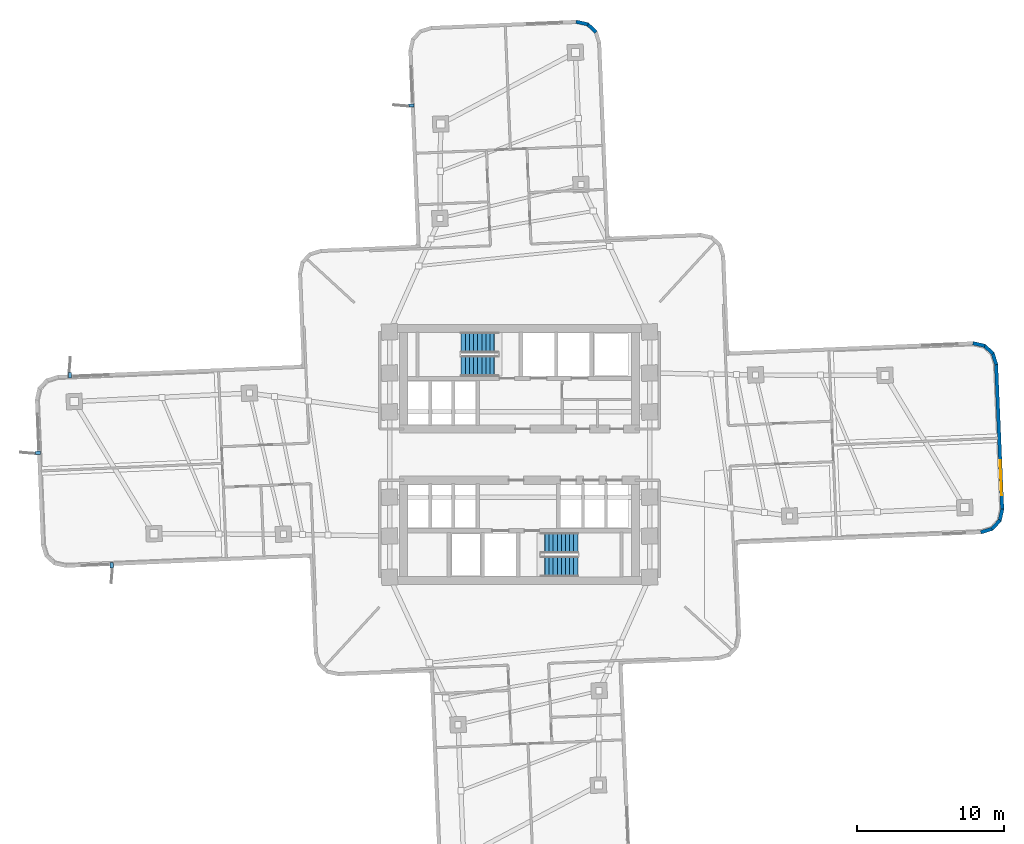
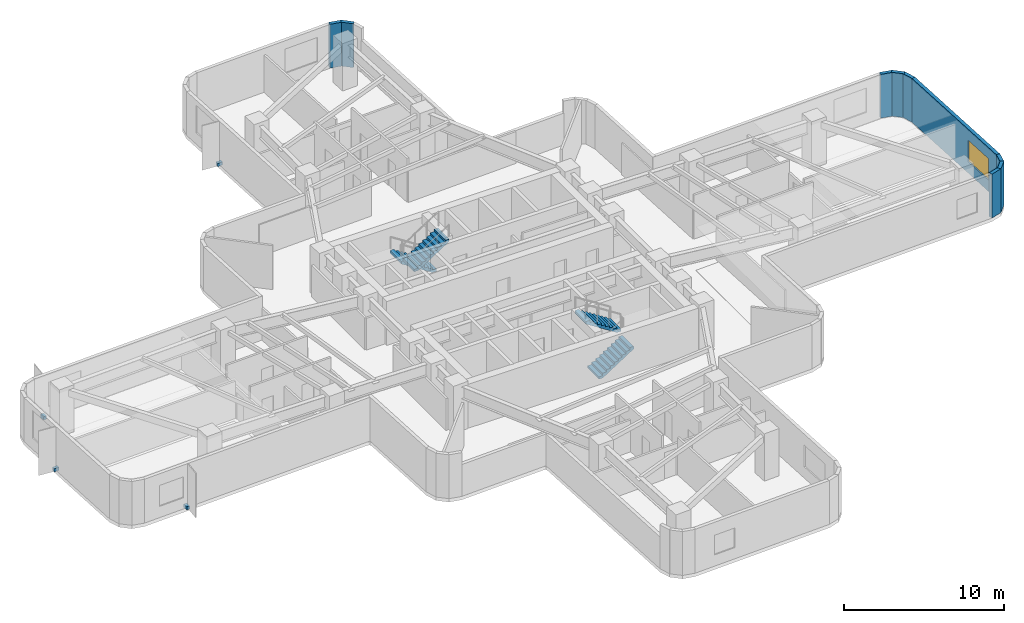
# One storey, part 6 of 10: 9 walls, 4 discrete accessories, 4 stair flights, 1 window, 1 opening, 2 elements without a shape of their own.
"""IFC4 building model written with IfcOpenShell, lengths in metres."""

from ifc_helpers import new_model, si_unit, direction, frame, frame_2d, origin, origin_2d, place, context, subcontext, project, spatial, polyline, rectangle, outline, extrude, material, layer, layer_set, type_object, element, fill, aggregate, save


model = new_model("IFC4")

# Units and contexts
model_context = context("Model", 3, precision=1e-05, world=origin(), true_north=direction((0.0, 1.0)))
body_context = subcontext(model_context, "Body", "Model", "MODEL_VIEW")
ifc_project = project(units=[si_unit("LENGTHUNIT", "METRE"), si_unit("AREAUNIT", "SQUARE_METRE"), si_unit("VOLUMEUNIT", "CUBIC_METRE"), si_unit("PLANEANGLEUNIT", "RADIAN"), si_unit("MASSUNIT", "GRAM", prefix="KILO")], contexts=[model_context])

# Site, building, storey
site_placement = place(None, origin())
site = spatial("IfcSite", under=ifc_project, at=site_placement, CompositionType="ELEMENT")
building_placement = place(site_placement, origin())
building = spatial("IfcBuilding", under=site, at=building_placement, Name="Solmarez Civic Tower", CompositionType="ELEMENT")
storey_placement = place(building_placement, frame((0.0, 0.0, 42.47998046875)))
storey = spatial("IfcBuildingStorey", under=building, at=storey_placement, Name="L10", CompositionType="ELEMENT", Elevation=42.47998046875)

# Walls
ifc_material_1 = material(Name="Precast concrete C40/50", Category="concrete")
ifc_layer = layer(ifc_material_1, 0.239990234375)
ifc_layer_set = layer_set([ifc_layer], Name="Precast concrete C40/50")
wall_type = type_object("IfcWallType", Name="WALL-EXT-240", PredefinedType="SOLIDWALL", material=ifc_layer_set)
wall_1_placement = place(storey_placement, frame((3.85009765625, 29.472900390625, 0.0), z_axis=(0.0, 0.0, 1.0), x_axis=(0.976138507006, -0.217148831773, 0.0)))
element("IfcWall", 1, at=wall_1_placement, inside=storey, type_object=wall_type, Name="L10 Exterior Precast Wall 25", PredefinedType="SOLIDWALL", context=body_context, shape_type="SweptSolid", body=[
    extrude(rectangle(XDim=0.82861328125, YDim=0.239990234375, at=frame_2d((0.414306640625, 0.0))), origin(), (0.0, 0.0, 1.0), 3.340087890625),
])
wall_2_placement = place(storey_placement, frame((4.616943359375, 29.31494140625, 0.0), z_axis=(0.0, 0.0, 1.0), x_axis=(0.735482115769, -0.677544136853, 0.0)))
element("IfcWall", 2, at=wall_2_placement, inside=storey, type_object=wall_type, Name="L10 Exterior Precast Wall 26", PredefinedType="SOLIDWALL", context=body_context, shape_type="SweptSolid", body=[
    extrude(rectangle(XDim=0.813232421875, YDim=0.239990234375, at=frame_2d((0.40673828125, 0.0))), origin(), (0.0, 0.0, 1.0), 3.340087890625),
])
wall_3_placement = place(storey_placement, frame((30.8701171875, 7.5849609375, 0.0), z_axis=(0.0, 0.0, 1.0), x_axis=(0.976138507006, -0.217148831773, 0.0)))
element("IfcWall", 3, at=wall_3_placement, inside=storey, type_object=wall_type, Name="L10 Exterior Precast Wall 39", PredefinedType="SOLIDWALL", context=body_context, shape_type="SweptSolid", body=[
    extrude(rectangle(XDim=0.82861328125, YDim=0.239990234375, at=frame_2d((0.414306640625, 0.0))), origin(), (0.0, 0.0, 1.0), 3.340087890625),
])
wall_4_placement = place(storey_placement, frame((31.636962890625, 7.427001953125, 0.0), z_axis=(0.0, 0.0, 1.0), x_axis=(0.73603262681, -0.676946063044, 0.0)))
element("IfcWall", 4, at=wall_4_placement, inside=storey, type_object=wall_type, Name="L10 Exterior Precast Wall 40", PredefinedType="SOLIDWALL", context=body_context, shape_type="SweptSolid", body=[
    extrude(rectangle(XDim=0.81396484375, YDim=0.239990234375, at=frame_2d((0.406982421875, 0.0))), origin(), (0.0, 0.0, 1.0), 3.340087890625),
])
wall_5_placement = place(storey_placement, frame((32.2109375, 6.9169921875, 0.0), z_axis=(0.0, 0.0, 1.0), x_axis=(0.297805793488, -0.954626476359, 0.0)))
element("IfcWall", 5, at=wall_5_placement, inside=storey, type_object=wall_type, Name="L10 Exterior Precast Wall 41", PredefinedType="SOLIDWALL", context=body_context, shape_type="SweptSolid", body=[
    extrude(rectangle(XDim=0.82958984375, YDim=0.239990234375, at=frame_2d((0.414794921875, 0.0))), origin(), (0.0, 0.0, 1.0), 3.340087890625),
])

# Wall, opening, window
wall_6_placement = place(storey_placement, frame((32.449951171875, 6.174072265625, 0.0), z_axis=(0.0, 0.0, 1.0), x_axis=(0.041857368543, -0.999123596308, 0.0)))
wall_6 = element("IfcWall", 6, at=wall_6_placement, inside=storey, type_object=wall_type, Name="L10 Exterior Precast Wall 42", PredefinedType="SOLIDWALL", context=body_context, shape_type="SweptSolid", body=[
    extrude(rectangle(XDim=9.93896484375, YDim=0.239990234375, at=frame_2d((4.969482421875, 0.0))), origin(), (0.0, 0.0, 1.0), 3.340087890625),
])
opening_placement = place(wall_6_placement, frame((6.552001953125, 0.0, 0.85009765625)))
opening = element("IfcOpeningElement", 7, at=opening_placement, cuts=wall_6, Name="Opening W-10", PredefinedType="OPENING", context=body_context, shape_type="SweptSolid", body=[
    extrude(rectangle(XDim=2.39990234375, YDim=1.64990234375, at=frame_2d((1.199951171875, 0.824951171875))), frame((0.0, 0.1298828125, 0.0), z_axis=(0.0, -1.0, 0.0), x_axis=(1.0, 0.0, 0.0)), (0.0, 0.0, 1.0), 0.260009765625),
])
ifc_material_2 = material(Name="Solar Control Bronze-Tinted Insulating Glass", Category="glass")
window_type = type_object("IfcWindowType", Name="WIN-2400X1650", PartitioningType="SINGLE_PANEL", PredefinedType="WINDOW", material=ifc_material_2)
window_placement = place(opening_placement, origin())
window = element("IfcWindow", 8, at=window_placement, inside=storey, type_object=window_type, Name="L10 Exterior Facade Window 42", OverallHeight=1.64990234375, OverallWidth=2.39990234375, PartitioningType="SINGLE_PANEL", PredefinedType="WINDOW", context=body_context, shape_type="SweptSolid", body=[
    extrude(rectangle(XDim=2.39990234375, YDim=1.64990234375, at=frame_2d((1.199951171875, 0.824951171875))), frame((0.0, 0.030029296875, 0.0), z_axis=(0.0, -1.0, 0.0), x_axis=(1.0, 0.0, 0.0)), (0.0, 0.0, 1.0), 0.06005859375),
])
fill(opening, window)

# Walls
wall_7_placement = place(storey_placement, frame((32.8701171875, -3.70703125, 0.0), z_axis=(0.0, 0.0, 1.0), x_axis=(-0.21711735544, -0.976145508604, 0.0)))
element("IfcWall", 9, at=wall_7_placement, inside=storey, type_object=wall_type, Name="L10 Exterior Precast Wall 43", PredefinedType="SOLIDWALL", context=body_context, shape_type="SweptSolid", body=[
    extrude(rectangle(XDim=0.829833984375, YDim=0.239990234375, at=frame_2d((0.4150390625, 0.0))), origin(), (0.0, 0.0, 1.0), 3.340087890625),
])
wall_8_placement = place(storey_placement, frame((32.7119140625, -4.47509765625, 0.0), z_axis=(0.0, 0.0, 1.0), x_axis=(-0.677693750404, -0.735344259965, 0.0)))
element("IfcWall", 10, at=wall_8_placement, inside=storey, type_object=wall_type, Name="L10 Exterior Precast Wall 44", PredefinedType="SOLIDWALL", context=body_context, shape_type="SweptSolid", body=[
    extrude(rectangle(XDim=0.81298828125, YDim=0.239990234375, at=frame_2d((0.406494140625, 0.0))), origin(), (0.0, 0.0, 1.0), 3.340087890625),
])
wall_9_placement = place(storey_placement, frame((32.201904296875, -5.048095703125, 0.0), z_axis=(0.0, 0.0, 1.0), x_axis=(-0.954814146828, -0.297203541393, 0.0)))
element("IfcWall", 11, at=wall_9_placement, inside=storey, type_object=wall_type, Name="L10 Exterior Precast Wall 45", PredefinedType="SOLIDWALL", context=body_context, shape_type="SweptSolid", body=[
    extrude(rectangle(XDim=0.83056640625, YDim=0.239990234375, at=frame_2d((0.415283203125, 0.0))), origin(), (0.0, 0.0, 1.0), 3.340087890625),
])

# Stair, stair flights
ifc_material_3 = material(Name="Concrete C50/60", Category="concrete")
stair_type = type_object("IfcStairType", Name="STAIR-DOGLEG-140W-20R-1800", PredefinedType="HALF_TURN_STAIR", material=ifc_material_3)
stair_1_placement = place(storey_placement, origin())
stair_1 = element("IfcStair", 12, at=stair_1_placement, inside=storey, type_object=stair_type, Name="L10 North Core Protected Exit Stair ST-1", PredefinedType="HALF_TURN_STAIR")
stair_flight_type = type_object("IfcStairFlightType", Name="FLIGHT-DOGLEG-140W-10R-1800", PredefinedType="STRAIGHT", material=ifc_material_3)
stair_flight_1_placement = place(storey_placement, frame((-1.449951171875, 7.6201171875, 0.0), z_axis=(0.0, 0.0, 1.0), x_axis=(-1.0, 0.0, 0.0)))
stair_flight_1 = element("IfcStairFlight", 13, at=stair_flight_1_placement, type_object=stair_flight_type, Name="ST-1 flight 1", NumberOfRisers=10, NumberOfTreads=9, PredefinedType="STRAIGHT", RiserHeight=0.18, TreadLength=0.28, context=body_context, shape_type="SweptSolid", body=[
    extrude(outline(polyline([(0.0, 0.0), (0.0, 0.179931640625), (0.280029296875, 0.179931640625), (0.280029296875, 0.360107421875), (0.56005859375, 0.360107421875), (0.56005859375, 0.5400390625), (0.840087890625, 0.5400390625), (0.840087890625, 0.719970703125), (1.1201171875, 0.719970703125), (1.1201171875, 0.89990234375), (1.39990234375, 0.89990234375), (1.39990234375, 1.080078125), (1.679931640625, 1.080078125), (1.679931640625, 1.260009765625), (1.9599609375, 1.260009765625), (1.9599609375, 1.43994140625), (2.239990234375, 1.43994140625), (2.239990234375, 1.6201171875), (2.52001953125, 1.6201171875), (2.52001953125, 1.800048828125), (2.52001953125, 1.429931640625), (0.295654296875, 0.0), (0.0, 0.0)])), frame((0.0, 0.699951171875, 0.0), z_axis=(0.0, -1.0, 0.0), x_axis=(1.0, 0.0, 0.0)), (0.0, 0.0, 1.0), 1.39990234375),
])
stair_flight_2_placement = place(storey_placement, frame((-3.969970703125, 6.02001953125, 1.800048828125), z_axis=(0.0, 0.0, 1.0), x_axis=(1.0, 0.0, 0.0)))
stair_flight_2 = element("IfcStairFlight", 14, at=stair_flight_2_placement, type_object=stair_flight_type, Name="ST-1 flight 2", NumberOfRisers=10, NumberOfTreads=9, PredefinedType="STRAIGHT", RiserHeight=0.18, TreadLength=0.28, context=body_context, shape_type="SweptSolid", body=[
    extrude(outline(polyline([(0.0, 0.0), (0.0, 0.179931640625), (0.280029296875, 0.179931640625), (0.280029296875, 0.360107421875), (0.56005859375, 0.360107421875), (0.56005859375, 0.5400390625), (0.840087890625, 0.5400390625), (0.840087890625, 0.719970703125), (1.1201171875, 0.719970703125), (1.1201171875, 0.89990234375), (1.39990234375, 0.89990234375), (1.39990234375, 1.080078125), (1.679931640625, 1.080078125), (1.679931640625, 1.260009765625), (1.9599609375, 1.260009765625), (1.9599609375, 1.43994140625), (2.239990234375, 1.43994140625), (2.239990234375, 1.6201171875), (2.52001953125, 1.6201171875), (2.52001953125, 1.800048828125), (2.52001953125, 1.429931640625), (0.295654296875, 0.0), (0.0, 0.0)])), frame((0.0, 0.699951171875, 0.0), z_axis=(0.0, -1.0, 0.0), x_axis=(1.0, 0.0, 0.0)), (0.0, 0.0, 1.0), 1.39990234375),
])
aggregate(stair_1, [stair_flight_1, stair_flight_2])

stair_2_placement = place(storey_placement, origin())
stair_2 = element("IfcStair", 15, at=stair_2_placement, inside=storey, type_object=stair_type, Name="L10 South Core Protected Exit Stair ST-2", PredefinedType="HALF_TURN_STAIR")
stair_flight_3_placement = place(storey_placement, frame((1.449951171875, -7.6201171875, 0.0), z_axis=(0.0, 0.0, 1.0), x_axis=(1.0, 0.0, 0.0)))
stair_flight_3 = element("IfcStairFlight", 16, at=stair_flight_3_placement, type_object=stair_flight_type, Name="ST-2 flight 1", NumberOfRisers=10, NumberOfTreads=9, PredefinedType="STRAIGHT", RiserHeight=0.18, TreadLength=0.28, context=body_context, shape_type="SweptSolid", body=[
    extrude(outline(polyline([(0.0, 0.0), (0.0, 0.179931640625), (0.280029296875, 0.179931640625), (0.280029296875, 0.360107421875), (0.56005859375, 0.360107421875), (0.56005859375, 0.5400390625), (0.840087890625, 0.5400390625), (0.840087890625, 0.719970703125), (1.1201171875, 0.719970703125), (1.1201171875, 0.89990234375), (1.39990234375, 0.89990234375), (1.39990234375, 1.080078125), (1.679931640625, 1.080078125), (1.679931640625, 1.260009765625), (1.9599609375, 1.260009765625), (1.9599609375, 1.43994140625), (2.239990234375, 1.43994140625), (2.239990234375, 1.6201171875), (2.52001953125, 1.6201171875), (2.52001953125, 1.800048828125), (2.52001953125, 1.429931640625), (0.295654296875, 0.0), (0.0, 0.0)])), frame((0.0, 0.699951171875, 0.0), z_axis=(0.0, -1.0, 0.0), x_axis=(1.0, 0.0, 0.0)), (0.0, 0.0, 1.0), 1.39990234375),
])
stair_flight_4_placement = place(storey_placement, frame((3.969970703125, -6.02001953125, 1.800048828125), z_axis=(0.0, 0.0, 1.0), x_axis=(-1.0, 0.0, 0.0)))
stair_flight_4 = element("IfcStairFlight", 17, at=stair_flight_4_placement, type_object=stair_flight_type, Name="ST-2 flight 2", NumberOfRisers=10, NumberOfTreads=9, PredefinedType="STRAIGHT", RiserHeight=0.18, TreadLength=0.28, context=body_context, shape_type="SweptSolid", body=[
    extrude(outline(polyline([(0.0, 0.0), (0.0, 0.179931640625), (0.280029296875, 0.179931640625), (0.280029296875, 0.360107421875), (0.56005859375, 0.360107421875), (0.56005859375, 0.5400390625), (0.840087890625, 0.5400390625), (0.840087890625, 0.719970703125), (1.1201171875, 0.719970703125), (1.1201171875, 0.89990234375), (1.39990234375, 0.89990234375), (1.39990234375, 1.080078125), (1.679931640625, 1.080078125), (1.679931640625, 1.260009765625), (1.9599609375, 1.260009765625), (1.9599609375, 1.43994140625), (2.239990234375, 1.43994140625), (2.239990234375, 1.6201171875), (2.52001953125, 1.6201171875), (2.52001953125, 1.800048828125), (2.52001953125, 1.429931640625), (0.295654296875, 0.0), (0.0, 0.0)])), frame((0.0, 0.699951171875, 0.0), z_axis=(0.0, -1.0, 0.0), x_axis=(1.0, 0.0, 0.0)), (0.0, 0.0, 1.0), 1.39990234375),
])
aggregate(stair_2, [stair_flight_3, stair_flight_4])

# Discrete accessories
ifc_material_4 = material(Name="Stainless Steel Grade 1.4401", Category="steel")
discrete_accessory_type = type_object("IfcDiscreteAccessoryType", Name="BRACKET-SS-FIN", PredefinedType="BRACKET", material=ifc_material_4)
for number, where, z_axis, x_axis, name in (
    (18, (-27.76904296875, -7.529052734375, -0.06005859375), (0.0, 0.0, 1.0), (0.041839078735, -0.999124362375, 0.0), "L10 Stainless Fin Support Bracket FIN-L10-01"),
    (19, (-32.7939453125, 0.118896484375, -0.06005859375), (0.0, 0.0, 1.0), (-0.999123230687, -0.041866094888, 0.0), "L10 Stainless Fin Support Bracket FIN-L10-02"),
    (20, (-30.612060546875, 5.403076171875, -0.06005859375), (0.0, 0.0, 1.0), (-0.04190115755, 0.999121760846, 0.0), "L10 Stainless Fin Support Bracket FIN-L10-03"),
    (21, (-7.362060546875, 23.77197265625, -0.06005859375), (0.0, 0.0, 1.0), (-0.999123573672, -0.041857908849, 0.0), "L10 Stainless Fin Support Bracket FIN-L10-04"),
):
    element("IfcDiscreteAccessory", number, at=place(storey_placement, frame(where, z_axis=z_axis, x_axis=x_axis)), inside=storey, type_object=discrete_accessory_type, Name=name, PredefinedType="BRACKET", context=body_context, shape_type="SweptSolid", body=[
        extrude(rectangle(XDim=0.360107421875, YDim=0.219970703125, at=origin_2d()), origin(), (0.0, 0.0, 1.0), 0.239990234375),
    ])

save(model, "model.ifc")
